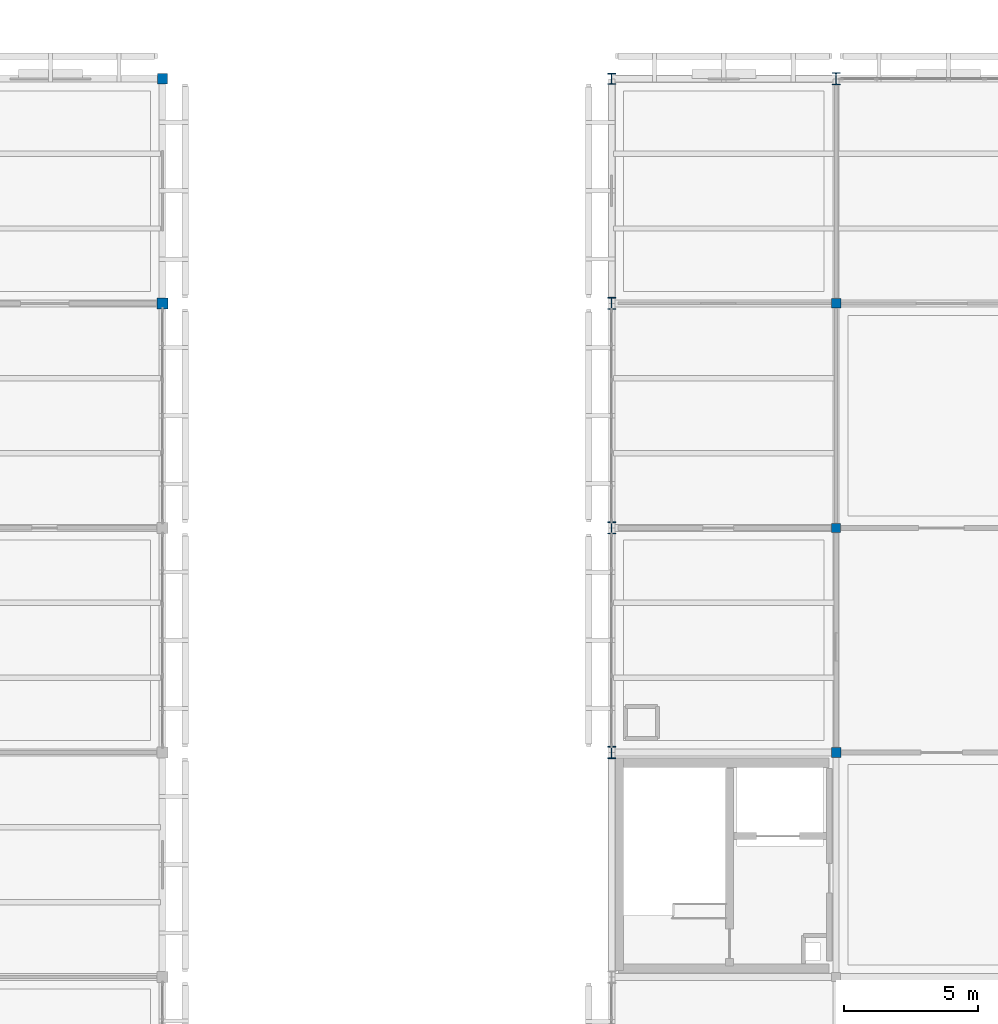
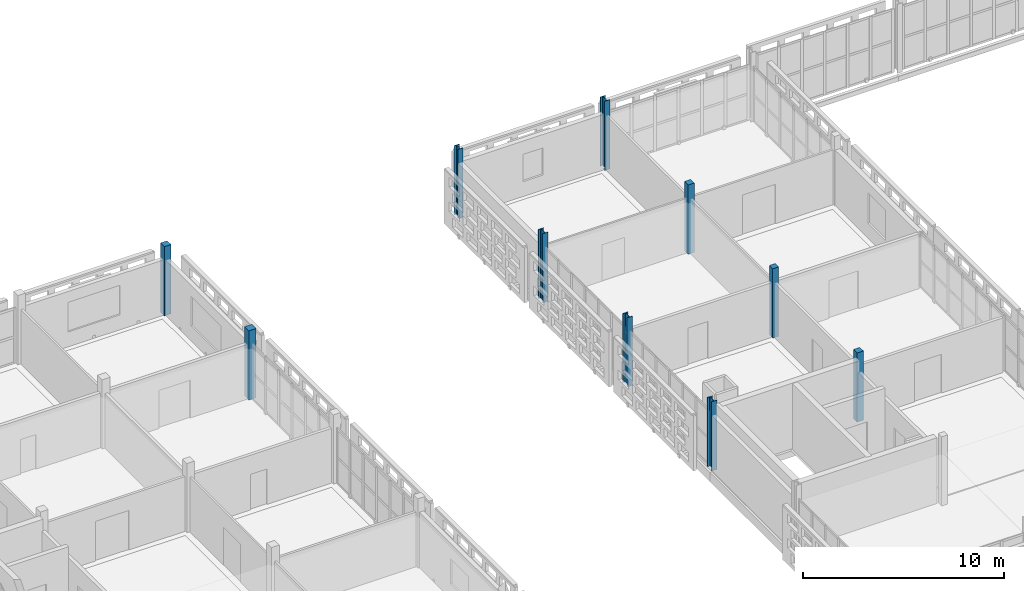
# One storey, part 4 of 140: 10 columns.
"""IFC4 building model written with IfcOpenShell, lengths in metres."""

from ifc_helpers import new_model, si_unit, direction, frame, origin, origin_2d, place, context, subcontext, project, spatial, rectangle, i_section, extrude, material, material_profile, profile_set, type_object, element, save


model = new_model("IFC4")

# Units and contexts
model_context = context("Model", 3, precision=1e-05, world=origin(), true_north=direction((0.0, 1.0)))
body_context = subcontext(model_context, "Body", "Model", "MODEL_VIEW")
ifc_project = project(units=[si_unit("LENGTHUNIT", "METRE"), si_unit("AREAUNIT", "SQUARE_METRE"), si_unit("VOLUMEUNIT", "CUBIC_METRE"), si_unit("PLANEANGLEUNIT", "RADIAN"), si_unit("MASSUNIT", "GRAM", prefix="KILO")], contexts=[model_context])

# Site, building, storey
site_placement = place(None, origin())
site = spatial("IfcSite", under=ifc_project, at=site_placement, CompositionType="ELEMENT")
building_placement = place(site_placement, origin())
building = spatial("IfcBuilding", under=site, at=building_placement, Name="Varnapada Polytechnic", CompositionType="ELEMENT")
storey_placement = place(building_placement, frame((0.0, 0.0, 13.800048828125)))
storey = spatial("IfcBuildingStorey", under=building, at=storey_placement, Name="L03", CompositionType="ELEMENT", Elevation=13.800048828125)

# Columns
ifc_material_1 = material(Name="Steel S355", Category="steel")
ifc_material_profile_1 = material_profile(ifc_material_1, i_section(OverallWidth=0.300048828125, OverallDepth=0.449951171875, WebThickness=0.013916015625, FlangeThickness=0.02587890625, FilletRadius=0.027099609375, at=origin_2d()), Name="HEB 450")
ifc_profile_set_1 = profile_set([ifc_material_profile_1], Name="Steel S355")
column_type_1 = type_object("IfcColumnType", Name="Column C-07 (HEB 450)", PredefinedType="COLUMN", material=ifc_profile_set_1)
for number, where, z_axis, x_axis, name in (
    (1, (50.39990234375, 100.800048828125, 0.0), (0.0, 0.0, 1.0), (1.0, 0.0, 0.0), "L03 column 7/13"),
    (2, (50.39990234375, 109.199951171875, 0.0), (0.0, 0.0, 1.0), (1.0, 0.0, 0.0), "L03 column 7/14"),
    (3, (50.39990234375, 117.60009765625, 0.0), (0.0, 0.0, 1.0), (1.0, 0.0, 0.0), "L03 column 7/15"),
    (4, (58.800048828125, 126.0, 0.0), (0.0, 0.0, 1.0), (1.0, 0.0, 0.0), "L03 column 8/16"),
):
    element("IfcColumn", number, at=place(storey_placement, frame(where, z_axis=z_axis, x_axis=x_axis)), inside=storey, type_object=column_type_1, Name=name, PredefinedType="COLUMN", context=body_context, shape_type="SweptSolid", body=[
        extrude(i_section(OverallWidth=0.300048828125, OverallDepth=0.449951171875, WebThickness=0.013916015625, FlangeThickness=0.02587890625, FilletRadius=0.027099609375, at=origin_2d()), origin(), (0.0, 0.0, 1.0), 4.199951171875),
    ])
ifc_material_profile_2 = material_profile(ifc_material_1, i_section(OverallWidth=0.300048828125, OverallDepth=0.39990234375, WebThickness=0.013427734375, FlangeThickness=0.02392578125, FilletRadius=0.027099609375, at=origin_2d()), Name="HEB 400")
ifc_profile_set_2 = profile_set([ifc_material_profile_2], Name="Steel S355")
column_type_2 = type_object("IfcColumnType", Name="Column C-08 (HEB 400)", PredefinedType="COLUMN", material=ifc_profile_set_2)
column_1_placement = place(storey_placement, frame((50.39990234375, 126.0, 0.0), z_axis=(0.0, 0.0, 1.0), x_axis=(1.0, 0.0, 0.0)))
element("IfcColumn", 5, at=column_1_placement, inside=storey, type_object=column_type_2, Name="L03 column 7/16", PredefinedType="COLUMN", context=body_context, shape_type="SweptSolid", body=[
    extrude(i_section(OverallWidth=0.300048828125, OverallDepth=0.39990234375, WebThickness=0.013427734375, FlangeThickness=0.02392578125, FilletRadius=0.027099609375, at=origin_2d()), origin(), (0.0, 0.0, 1.0), 4.199951171875),
])
ifc_material_2 = material(Name="Glulam GL32h", Category="wood")
ifc_material_profile_3 = material_profile(ifc_material_2, rectangle(XDim=0.360107421875, YDim=0.360107421875, at=origin_2d()), Name="GL 360x360")
ifc_profile_set_3 = profile_set([ifc_material_profile_3], Name="Glulam GL32h")
column_type_3 = type_object("IfcColumnType", Name="Column C-14 (GL 360x360)", PredefinedType="COLUMN", material=ifc_profile_set_3)
for number, where, z_axis, x_axis, name in (
    (6, (58.800048828125, 100.800048828125, 0.0), (0.0, 0.0, 1.0), (1.0, 0.0, 0.0), "L03 column 8/13"),
    (7, (58.800048828125, 117.60009765625, 0.0), (0.0, 0.0, 1.0), (1.0, 0.0, 0.0), "L03 column 8/15"),
):
    element("IfcColumn", number, at=place(storey_placement, frame(where, z_axis=z_axis, x_axis=x_axis)), inside=storey, type_object=column_type_3, Name=name, PredefinedType="COLUMN", context=body_context, shape_type="SweptSolid", body=[
        extrude(rectangle(XDim=0.360107421875, YDim=0.360107421875, at=origin_2d()), origin(), (0.0, 0.0, 1.0), 4.199951171875),
    ])
ifc_material_profile_4 = material_profile(ifc_material_2, rectangle(XDim=0.419921875, YDim=0.419921875, at=origin_2d()), Name="GL 420x420")
ifc_profile_set_4 = profile_set([ifc_material_profile_4], Name="Glulam GL32h")
column_type_4 = type_object("IfcColumnType", Name="Column C-23 (GL 420x420)", PredefinedType="COLUMN", material=ifc_profile_set_4)
column_2_placement = place(storey_placement, frame((33.60009765625, 117.60009765625, 0.0), z_axis=(0.0, 0.0, 1.0), x_axis=(1.0, 0.0, 0.0)))
element("IfcColumn", 8, at=column_2_placement, inside=storey, type_object=column_type_4, Name="L03 column 5/15", PredefinedType="COLUMN", context=body_context, shape_type="SweptSolid", body=[
    extrude(rectangle(XDim=0.419921875, YDim=0.419921875, at=origin_2d()), origin(), (0.0, 0.0, 1.0), 4.199951171875),
])
ifc_material_profile_5 = material_profile(ifc_material_2, rectangle(XDim=0.3798828125, YDim=0.3798828125, at=origin_2d()), Name="GL 380x380")
ifc_profile_set_5 = profile_set([ifc_material_profile_5], Name="Glulam GL32h")
column_type_5 = type_object("IfcColumnType", Name="Column C-24 (GL 380x380)", PredefinedType="COLUMN", material=ifc_profile_set_5)
column_3_placement = place(storey_placement, frame((33.60009765625, 126.0, 0.0), z_axis=(0.0, 0.0, 1.0), x_axis=(1.0, 0.0, 0.0)))
element("IfcColumn", 9, at=column_3_placement, inside=storey, type_object=column_type_5, Name="L03 column 5/16", PredefinedType="COLUMN", context=body_context, shape_type="SweptSolid", body=[
    extrude(rectangle(XDim=0.3798828125, YDim=0.3798828125, at=origin_2d()), origin(), (0.0, 0.0, 1.0), 4.199951171875),
])
ifc_material_profile_6 = material_profile(ifc_material_2, rectangle(XDim=0.340087890625, YDim=0.340087890625, at=origin_2d()), Name="GL 340x340")
ifc_profile_set_6 = profile_set([ifc_material_profile_6], Name="Glulam GL32h")
column_type_6 = type_object("IfcColumnType", Name="Column C-27 (GL 340x340)", PredefinedType="COLUMN", material=ifc_profile_set_6)
column_4_placement = place(storey_placement, frame((58.800048828125, 109.199951171875, 0.0), z_axis=(0.0, 0.0, 1.0), x_axis=(1.0, 0.0, 0.0)))
element("IfcColumn", 10, at=column_4_placement, inside=storey, type_object=column_type_6, Name="L03 column 8/14", PredefinedType="COLUMN", context=body_context, shape_type="SweptSolid", body=[
    extrude(rectangle(XDim=0.340087890625, YDim=0.340087890625, at=origin_2d()), origin(), (0.0, 0.0, 1.0), 4.199951171875),
])

save(model, "model.ifc")
